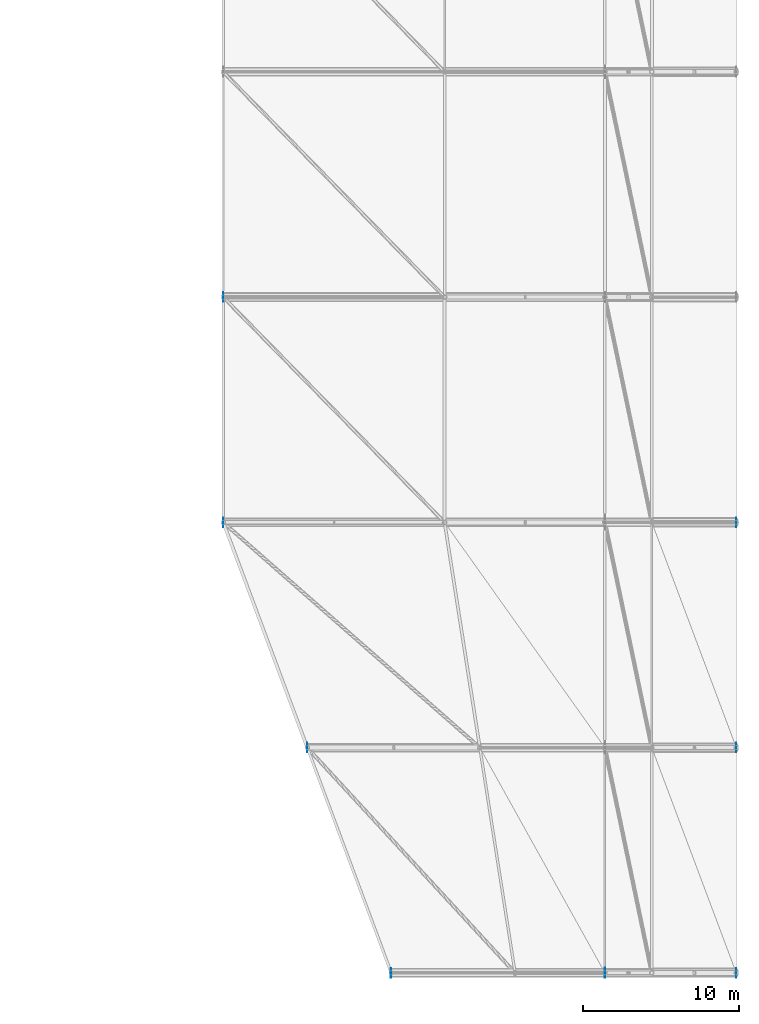
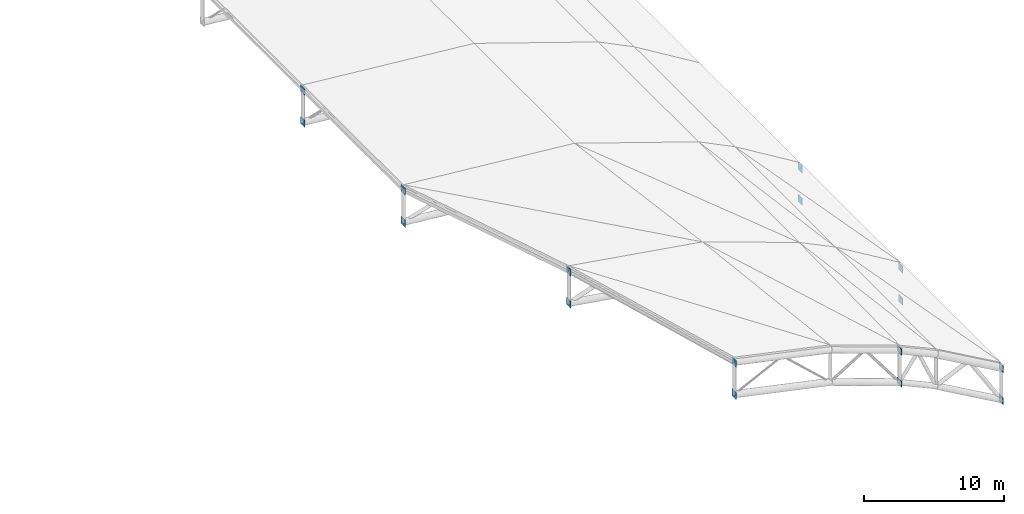
# One storey, part 33 of 36: 16 plates.
"""IFC4 building model written with IfcOpenShell, lengths in metres."""

from ifc_helpers import new_model, si_unit, direction, frame, origin, origin_2d, place, context, subcontext, project, spatial, rectangle, extrude, material, layer, layer_set, type_object, element, save


model = new_model("IFC4")

# Units and contexts
model_context = context("Model", 3, precision=1e-05, world=origin(), true_north=direction((0.0, 1.0)))
body_context = subcontext(model_context, "Body", "Model", "MODEL_VIEW")
ifc_project = project(units=[si_unit("LENGTHUNIT", "METRE"), si_unit("AREAUNIT", "SQUARE_METRE"), si_unit("VOLUMEUNIT", "CUBIC_METRE"), si_unit("PLANEANGLEUNIT", "RADIAN"), si_unit("MASSUNIT", "GRAM", prefix="KILO")], contexts=[model_context])

# Site, building, storey
site_placement = place(None, origin())
site = spatial("IfcSite", under=ifc_project, at=site_placement, CompositionType="ELEMENT")
building_placement = place(site_placement, origin())
building = spatial("IfcBuilding", under=site, at=building_placement, Name="Koshinbarg Plaza Stadium", CompositionType="ELEMENT")
storey_placement = place(building_placement, frame((0.0, 0.0, 34.199951171875)))
storey = spatial("IfcBuildingStorey", under=building, at=storey_placement, Name="RF", CompositionType="ELEMENT", Elevation=34.199951171875)

# Plates
ifc_material = material(Name="Steel S355", Category="steel")
ifc_layer_1 = layer(ifc_material, 0.02490234375)
ifc_layer_set_1 = layer_set([ifc_layer_1], Name="Steel S355")
plate_type_1 = type_object("IfcPlateType", Name="PLT-GUS-01", PredefinedType="USERDEFINED", material=ifc_layer_set_1)
for number, where, z_axis, x_axis, name in (
    (1, (189.39990234375, 25.5, 2.17138671875), (0.0, 0.0, 1.0), (1.0, 0.0, 0.0), "Roof truss node cap plate KN-03 ERB-01-3T"),
    (2, (189.39990234375, 25.5, -0.62841796875), (0.0, 0.0, 1.0), (1.0, 0.0, 0.0), "Roof truss node cap plate KN-03 ERB-01-3B"),
):
    element("IfcPlate", number, at=place(storey_placement, frame(where, z_axis=z_axis, x_axis=x_axis)), inside=storey, type_object=plate_type_1, Name=name, ObjectType="GUSSET_PLATE", PredefinedType="USERDEFINED", context=body_context, shape_type="SweptSolid", body=[
        extrude(rectangle(XDim=0.02490234375, YDim=0.64990234375, at=origin_2d()), origin(), (0.0, 0.0, 1.0), 0.550048828125),
    ])
ifc_layer_2 = layer(ifc_material, 0.02001953125)
ifc_layer_set_2 = layer_set([ifc_layer_2], Name="Steel S355")
plate_type_2 = type_object("IfcPlateType", Name="PLT-GUS-04", PredefinedType="USERDEFINED", material=ifc_layer_set_2)
for number, where, z_axis, x_axis, name in (
    (3, (197.800048828125, 25.5, -2.31005859375), (0.0, 0.0, 1.0), (1.0, 0.0, 0.0), "Roof truss node cap plate KN-01 ERB-01-1T"),
    (4, (197.800048828125, 25.5, -5.110107421875), (0.0, 0.0, 1.0), (1.0, 0.0, 0.0), "Roof truss node cap plate KN-01 ERB-01-1B"),
    (5, (175.736083984375, 25.5, 5.876953125), (0.0, 0.0, 1.0), (1.0, 0.0, 0.0), "Roof truss node cap plate KN-02 ERB-01-5T"),
    (6, (175.736083984375, 25.5, 3.076904296875), (0.0, 0.0, 1.0), (1.0, 0.0, 0.0), "Roof truss node cap plate KN-02 ERB-01-5B"),
    (7, (197.800048828125, 39.89990234375, -2.31005859375), (0.0, 0.0, 1.0), (1.0, 0.0, 0.0), "Roof truss node cap plate KN-01 ERB-02-1T"),
    (8, (197.800048828125, 39.89990234375, -5.110107421875), (0.0, 0.0, 1.0), (1.0, 0.0, 0.0), "Roof truss node cap plate KN-01 ERB-02-1B"),
    (9, (170.367919921875, 39.89990234375, 7.00927734375), (0.0, 0.0, 1.0), (1.0, 0.0, 0.0), "Roof truss node cap plate KN-02 ERB-02-5T"),
    (10, (170.367919921875, 39.89990234375, 4.209228515625), (0.0, 0.0, 1.0), (1.0, 0.0, 0.0), "Roof truss node cap plate KN-02 ERB-02-5B"),
    (11, (197.800048828125, 54.300048828125, -2.31005859375), (0.0, 0.0, 1.0), (1.0, 0.0, 0.0), "Roof truss node cap plate KN-01 ERB-03-1T"),
    (12, (197.800048828125, 54.300048828125, -5.110107421875), (0.0, 0.0, 1.0), (1.0, 0.0, 0.0), "Roof truss node cap plate KN-01 ERB-03-1B"),
    (13, (165.0, 54.300048828125, 7.236328125), (0.0, 0.0, 1.0), (1.0, 0.0, 0.0), "Roof truss node cap plate KN-02 ERB-03-5T"),
    (14, (165.0, 54.300048828125, 4.436279296875), (0.0, 0.0, 1.0), (1.0, 0.0, 0.0), "Roof truss node cap plate KN-02 ERB-03-5B"),
    (15, (165.0, 68.699951171875, 7.236328125), (0.0, 0.0, 1.0), (1.0, 0.0, 0.0), "Roof truss node cap plate KN-02 ERB-04-5T"),
    (16, (165.0, 68.699951171875, 4.436279296875), (0.0, 0.0, 1.0), (1.0, 0.0, 0.0), "Roof truss node cap plate KN-02 ERB-04-5B"),
):
    element("IfcPlate", number, at=place(storey_placement, frame(where, z_axis=z_axis, x_axis=x_axis)), inside=storey, type_object=plate_type_2, Name=name, ObjectType="GUSSET_PLATE", PredefinedType="USERDEFINED", context=body_context, shape_type="SweptSolid", body=[
        extrude(rectangle(XDim=0.02001953125, YDim=0.6201171875, at=origin_2d()), origin(), (0.0, 0.0, 1.0), 0.6201171875),
    ])

save(model, "model.ifc")
